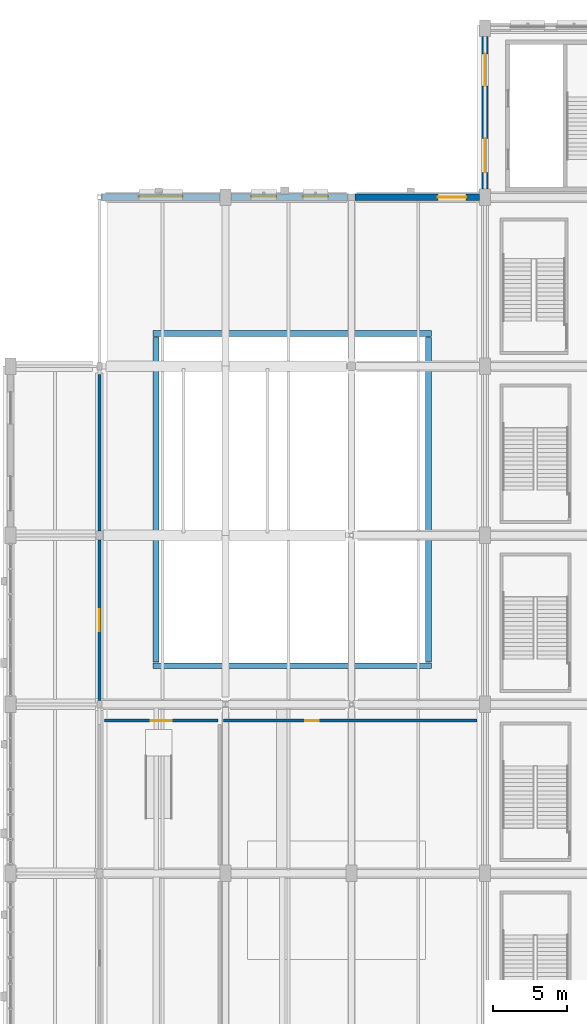
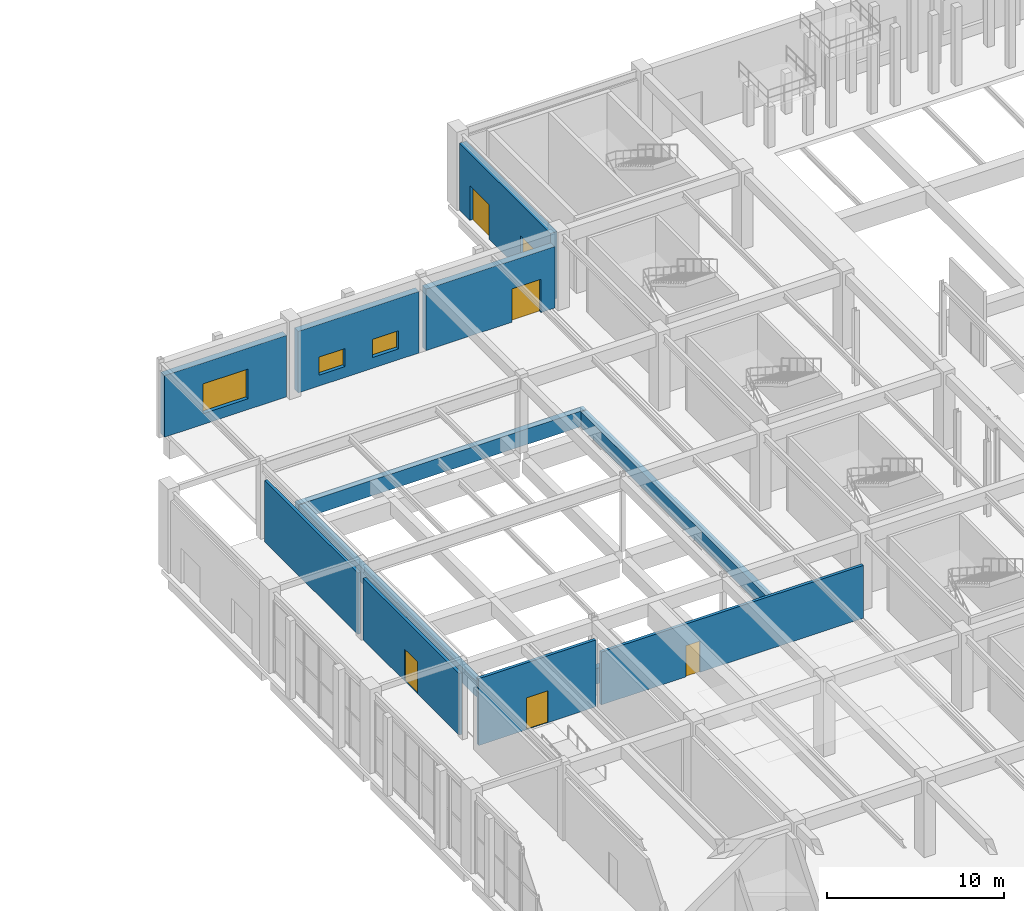
# One storey, part 90 of 113: 12 walls, 6 doors, 3 windows, 9 openings.
"""IFC4 building model written with IfcOpenShell, lengths in metres."""

from ifc_helpers import new_model, si_unit, direction, frame, frame_2d, origin, place, context, subcontext, project, spatial, rectangle, extrude, material, layer, layer_set, type_object, element, fill, save


model = new_model("IFC4")

# Units and contexts
model_context = context("Model", 3, precision=1e-05, world=origin(), true_north=direction((0.0, 1.0)))
body_context = subcontext(model_context, "Body", "Model", "MODEL_VIEW")
ifc_project = project(units=[si_unit("LENGTHUNIT", "METRE"), si_unit("AREAUNIT", "SQUARE_METRE"), si_unit("VOLUMEUNIT", "CUBIC_METRE"), si_unit("PLANEANGLEUNIT", "RADIAN"), si_unit("MASSUNIT", "GRAM", prefix="KILO"), si_unit("POWERUNIT", "WATT"), si_unit("THERMODYNAMICTEMPERATUREUNIT", "KELVIN")], contexts=[model_context])

# Site, building, storey
site_placement = place(None, origin())
site = spatial("IfcSite", under=ifc_project, at=site_placement, CompositionType="ELEMENT")
building_placement = place(site_placement, origin())
building = spatial("IfcBuilding", under=site, at=building_placement, Name="Kelmbourne Parkland Aquatics Centre", CompositionType="ELEMENT")
storey_placement = place(building_placement, origin())
storey = spatial("IfcBuildingStorey", under=building, at=storey_placement, Name="L00", CompositionType="ELEMENT", Elevation=0.0)

# Wall, opening, window
ifc_material_1 = material(Name="Dark manganite base-course brickwork", Category="masonry")
ifc_layer_1 = layer(ifc_material_1, 0.429931640625)
ifc_layer_set_1 = layer_set([ifc_layer_1], Name="Dark manganite base-course brickwork")
wall_type_1 = type_object("IfcWallType", Name="W-EXT-430", PredefinedType="STANDARD", material=ifc_layer_set_1)
wall_1_placement = place(storey_placement, frame((102.152099609375, 103.39990234375, 0.0), z_axis=(0.0, 0.0, 1.0), x_axis=(1.0, 0.0, 0.0)))
wall_1 = element("IfcWall", 1, at=wall_1_placement, inside=storey, type_object=wall_type_1, Name="Exterior polychrome brick wall EW-L00-037", PredefinedType="STANDARD", context=body_context, shape_type="SweptSolid", body=[
    extrude(rectangle(XDim=7.970947265625, YDim=0.429931640625, at=frame_2d((3.9853515625, 0.0))), origin(), (0.0, 0.0, 1.0), 4.2451171875),
])
opening_1_placement = place(wall_1_placement, frame((2.510498046875, 0.0, 0.75)))
opening_1 = element("IfcOpeningElement", 2, at=opening_1_placement, cuts=wall_1, Name="Opening W12", PredefinedType="OPENING", context=body_context, shape_type="SweptSolid", body=[
    extrude(rectangle(XDim=2.949951171875, YDim=2.050048828125, at=frame_2d((1.47509765625, 1.02490234375))), frame((0.0, 0.22705078125, 0.0), z_axis=(0.0, -1.0, 0.0), x_axis=(1.0, 0.0, 0.0)), (0.0, 0.0, 1.0), 0.453857421875),
])
ifc_material_2 = material(Name="Thermally broken anodised aluminium window with low-e glass", Category="aluminium")
ifc_layer_2 = layer(ifc_material_2, 0.090087890625)
ifc_layer_set_2 = layer_set([ifc_layer_2], Name="Thermally broken anodised aluminium window with low-e glass")
window_type_1 = type_object("IfcWindowType", Name="WN-12", PartitioningType="TRIPLE_PANEL_VERTICAL", PredefinedType="WINDOW", material=ifc_layer_set_2)
window_1_placement = place(opening_1_placement, origin())
window_1 = element("IfcWindow", 3, at=window_1_placement, inside=storey, type_object=window_type_1, Name="Deep-reveal masonry window W12", OverallHeight=2.050048828125, OverallWidth=2.949951171875, PartitioningType="TRIPLE_PANEL_VERTICAL", PredefinedType="WINDOW", context=body_context, shape_type="SweptSolid", body=[
    extrude(rectangle(XDim=2.949951171875, YDim=2.050048828125, at=frame_2d((1.47509765625, 1.02490234375))), frame((0.0, 0.080078125, 0.0), z_axis=(0.0, -1.0, 0.0), x_axis=(1.0, 0.0, 0.0)), (0.0, 0.0, 1.0), 0.06005859375),
])
fill(opening_1, window_1)

# Wall, openings, windows
wall_2_placement = place(storey_placement, frame((110.876953125, 103.39990234375, 0.0), z_axis=(0.0, 0.0, 1.0), x_axis=(1.0, 0.0, 0.0)))
wall_2 = element("IfcWall", 4, at=wall_2_placement, inside=storey, type_object=wall_type_1, Name="Exterior polychrome brick wall EW-L00-038", PredefinedType="STANDARD", context=body_context, shape_type="SweptSolid", body=[
    extrude(rectangle(XDim=7.89599609375, YDim=0.429931640625, at=frame_2d((3.947998046875, 0.0))), origin(), (0.0, 0.0, 1.0), 4.2451171875),
])
opening_2_placement = place(wall_2_placement, frame((1.35009765625, 0.0, 0.75)))
opening_2 = element("IfcOpeningElement", 5, at=opening_2_placement, cuts=wall_2, Name="Opening W14", PredefinedType="OPENING", context=body_context, shape_type="SweptSolid", body=[
    extrude(rectangle(XDim=1.699951171875, YDim=1.25, at=frame_2d((0.85009765625, 0.625))), frame((0.0, 0.22705078125, 0.0), z_axis=(0.0, -1.0, 0.0), x_axis=(1.0, 0.0, 0.0)), (0.0, 0.0, 1.0), 0.453857421875),
])
opening_3_placement = place(wall_2_placement, frame((4.845947265625, 0.0, 0.75)))
opening_3 = element("IfcOpeningElement", 6, at=opening_3_placement, cuts=wall_2, Name="Opening W14", PredefinedType="OPENING", context=body_context, shape_type="SweptSolid", body=[
    extrude(rectangle(XDim=1.699951171875, YDim=1.25, at=frame_2d((0.85009765625, 0.625))), frame((0.0, 0.22705078125, 0.0), z_axis=(0.0, -1.0, 0.0), x_axis=(1.0, 0.0, 0.0)), (0.0, 0.0, 1.0), 0.453857421875),
])
ifc_layer_3 = layer(ifc_material_2, 0.090087890625)
ifc_layer_set_3 = layer_set([ifc_layer_3], Name="Thermally broken anodised aluminium window with low-e glass")
window_type_2 = type_object("IfcWindowType", Name="WN-14", PartitioningType="DOUBLE_PANEL_HORIZONTAL", PredefinedType="WINDOW", material=ifc_layer_set_3)
window_2_placement = place(opening_2_placement, origin())
window_2 = element("IfcWindow", 7, at=window_2_placement, inside=storey, type_object=window_type_2, Name="Deep-reveal masonry window W14", OverallHeight=1.25, OverallWidth=1.699951171875, PartitioningType="DOUBLE_PANEL_HORIZONTAL", PredefinedType="WINDOW", context=body_context, shape_type="SweptSolid", body=[
    extrude(rectangle(XDim=1.699951171875, YDim=1.25, at=frame_2d((0.85009765625, 0.625))), frame((0.0, 0.080078125, 0.0), z_axis=(0.0, -1.0, 0.0), x_axis=(1.0, 0.0, 0.0)), (0.0, 0.0, 1.0), 0.06005859375),
])
fill(opening_2, window_2)
window_3_placement = place(opening_3_placement, origin())
window_3 = element("IfcWindow", 8, at=window_3_placement, inside=storey, type_object=window_type_2, Name="Deep-reveal masonry window W14", OverallHeight=1.25, OverallWidth=1.699951171875, PartitioningType="DOUBLE_PANEL_HORIZONTAL", PredefinedType="WINDOW", context=body_context, shape_type="SweptSolid", body=[
    extrude(rectangle(XDim=1.699951171875, YDim=1.25, at=frame_2d((0.85009765625, 0.625))), frame((0.0, 0.080078125, 0.0), z_axis=(0.0, -1.0, 0.0), x_axis=(1.0, 0.0, 0.0)), (0.0, 0.0, 1.0), 0.06005859375),
])
fill(opening_3, window_3)

# Wall, opening, door
wall_3_placement = place(storey_placement, frame((119.22705078125, 103.39990234375, 0.0), z_axis=(0.0, 0.0, 1.0), x_axis=(1.0, 0.0, 0.0)))
wall_3 = element("IfcWall", 9, at=wall_3_placement, inside=storey, type_object=wall_type_1, Name="Exterior polychrome brick wall EW-L00-039", PredefinedType="STANDARD", context=body_context, shape_type="SweptSolid", body=[
    extrude(rectangle(XDim=8.39599609375, YDim=0.429931640625, at=frame_2d((4.197998046875, 0.0))), origin(), (0.0, 0.0, 1.0), 4.2451171875),
])
opening_4_placement = place(wall_3_placement, frame((5.598876953125, 0.0, 0.0)))
opening_4 = element("IfcOpeningElement", 10, at=opening_4_placement, cuts=wall_3, Name="Opening E16", PredefinedType="OPENING", context=body_context, shape_type="SweptSolid", body=[
    extrude(rectangle(XDim=1.89990234375, YDim=2.300048828125, at=frame_2d((0.949951171875, 1.14990234375))), frame((0.0, 0.22705078125, 0.0), z_axis=(0.0, -1.0, 0.0), x_axis=(1.0, 0.0, 0.0)), (0.0, 0.0, 1.0), 0.453857421875),
])
ifc_material_3 = material(Name="Thermally broken anodised aluminium commercial door", Category="aluminium")
ifc_layer_4 = layer(ifc_material_3, 0.06005859375)
ifc_layer_set_4 = layer_set([ifc_layer_4], Name="Thermally broken anodised aluminium commercial door")
door_type_1 = type_object("IfcDoorType", Name="DR-EXT-190", OperationType="NOTDEFINED", PredefinedType="DOOR", material=ifc_layer_set_4)
door_1_placement = place(opening_4_placement, origin())
door_1 = element("IfcDoor", 11, at=door_1_placement, inside=storey, type_object=door_type_1, Name="Final exit double door E16", OperationType="DOUBLE_DOOR_SINGLE_SWING", OverallHeight=2.300048828125, OverallWidth=1.89990234375, PredefinedType="DOOR", context=body_context, shape_type="SweptSolid", body=[
    extrude(rectangle(XDim=1.89990234375, YDim=2.300048828125, at=frame_2d((0.949951171875, 1.14990234375))), frame((0.0, 0.02490234375, 0.0), z_axis=(0.0, -1.0, 0.0), x_axis=(1.0, 0.0, 0.0)), (0.0, 0.0, 1.0), 0.050048828125),
])
fill(opening_4, door_1)

# Wall, openings, doors
wall_4_placement = place(storey_placement, frame((128.0, 103.951904296875, 0.0), z_axis=(0.0, 0.0, 1.0), x_axis=(0.0, 1.0, 0.0)))
wall_4 = element("IfcWall", 12, at=wall_4_placement, inside=storey, type_object=wall_type_1, Name="Exterior polychrome brick wall EW-L00-051", PredefinedType="STANDARD", context=body_context, shape_type="SweptSolid", body=[
    extrude(rectangle(XDim=10.296142578125, YDim=0.429931640625, at=frame_2d((5.14794921875, 0.0))), origin(), (0.0, 0.0, 1.0), 4.612060546875),
])
opening_5_placement = place(wall_4_placement, frame((1.114990234375, 0.0, 0.0)))
opening_5 = element("IfcOpeningElement", 13, at=opening_5_placement, cuts=wall_4, Name="Opening E41", PredefinedType="OPENING", context=body_context, shape_type="SweptSolid", body=[
    extrude(rectangle(XDim=2.300048828125, YDim=2.39990234375, at=frame_2d((1.14990234375, 1.199951171875))), frame((0.0, 0.22705078125, 0.0), z_axis=(0.0, -1.0, 0.0), x_axis=(1.0, 0.0, 0.0)), (0.0, 0.0, 1.0), 0.453857421875),
])
opening_6_placement = place(wall_4_placement, frame((6.955810546875, 0.0, 0.0)))
opening_6 = element("IfcOpeningElement", 14, at=opening_6_placement, cuts=wall_4, Name="Opening E42", PredefinedType="OPENING", context=body_context, shape_type="SweptSolid", body=[
    extrude(rectangle(XDim=2.14990234375, YDim=2.39990234375, at=frame_2d((1.074951171875, 1.199951171875))), frame((0.0, 0.22705078125, 0.0), z_axis=(0.0, -1.0, 0.0), x_axis=(1.0, 0.0, 0.0)), (0.0, 0.0, 1.0), 0.453857421875),
])
ifc_layer_5 = layer(ifc_material_3, 0.06005859375)
ifc_layer_set_5 = layer_set([ifc_layer_5], Name="Thermally broken anodised aluminium commercial door")
door_type_2 = type_object("IfcDoorType", Name="DR-EXT-215", OperationType="NOTDEFINED", PredefinedType="DOOR", material=ifc_layer_set_5)
door_2_placement = place(opening_6_placement, origin())
door_2 = element("IfcDoor", 15, at=door_2_placement, inside=storey, type_object=door_type_2, Name="Final exit double door E42", OperationType="DOUBLE_DOOR_SINGLE_SWING", OverallHeight=2.39990234375, OverallWidth=2.14990234375, PredefinedType="DOOR", context=body_context, shape_type="SweptSolid", body=[
    extrude(rectangle(XDim=2.14990234375, YDim=2.39990234375, at=frame_2d((1.074951171875, 1.199951171875))), frame((0.0, 0.02490234375, 0.0), z_axis=(0.0, -1.0, 0.0), x_axis=(1.0, 0.0, 0.0)), (0.0, 0.0, 1.0), 0.050048828125),
])
fill(opening_6, door_2)
ifc_layer_6 = layer(ifc_material_3, 0.06005859375)
ifc_layer_set_6 = layer_set([ifc_layer_6], Name="Thermally broken anodised aluminium commercial door")
door_type_3 = type_object("IfcDoorType", Name="DR-EXT-230", OperationType="NOTDEFINED", PredefinedType="DOOR", material=ifc_layer_set_6)
door_3_placement = place(opening_5_placement, origin())
door_3 = element("IfcDoor", 16, at=door_3_placement, inside=storey, type_object=door_type_3, Name="Final exit double door E41", OperationType="DOUBLE_DOOR_SINGLE_SWING", OverallHeight=2.39990234375, OverallWidth=2.300048828125, PredefinedType="DOOR", context=body_context, shape_type="SweptSolid", body=[
    extrude(rectangle(XDim=2.300048828125, YDim=2.39990234375, at=frame_2d((1.14990234375, 1.199951171875))), frame((0.0, 0.02490234375, 0.0), z_axis=(0.0, -1.0, 0.0), x_axis=(1.0, 0.0, 0.0)), (0.0, 0.0, 1.0), 0.050048828125),
])
fill(opening_5, door_3)

# Wall, opening, door
ifc_material_4 = material(Name="Concrete blockwork C32/40", Category="masonry")
ifc_layer_7 = layer(ifc_material_4, 0.18994140625)
ifc_layer_set_7 = layer_set([ifc_layer_7], Name="Concrete blockwork C32/40")
wall_type_2 = type_object("IfcWallType", Name="W-SOLID-190", PredefinedType="SOLIDWALL", material=ifc_layer_set_7)
wall_5_placement = place(storey_placement, frame((102.0, 69.451904296875, 0.0), z_axis=(0.0, 0.0, 1.0), x_axis=(0.0, 1.0, 0.0)))
wall_5 = element("IfcWall", 17, at=wall_5_placement, inside=storey, type_object=wall_type_2, Name="Interior partition PT-L00-043", PredefinedType="SOLIDWALL", context=body_context, shape_type="SweptSolid", body=[
    extrude(rectangle(XDim=10.84619140625, YDim=0.18994140625, at=frame_2d((5.423095703125, 0.0))), origin(), (0.0, 0.0, 1.0), 4.2451171875),
])
opening_7_placement = place(wall_5_placement, frame((4.673095703125, 0.0, 0.0)))
opening_7 = element("IfcOpeningElement", 18, at=opening_7_placement, cuts=wall_5, Name="Opening ID02", PredefinedType="OPENING", context=body_context, shape_type="SweptSolid", body=[
    extrude(rectangle(XDim=1.5, YDim=2.199951171875, at=frame_2d((0.75, 1.10009765625))), frame((0.0, 0.10693359375, 0.0), z_axis=(0.0, -1.0, 0.0), x_axis=(1.0, 0.0, 0.0)), (0.0, 0.0, 1.0), 0.2138671875),
])
ifc_material_5 = material(Name="Marine-grade stainless steel and solid-core hardwood doorset", Category="timber")
ifc_layer_8 = layer(ifc_material_5, 0.050048828125)
ifc_layer_set_8 = layer_set([ifc_layer_8], Name="Marine-grade stainless steel and solid-core hardwood doorset")
door_type_4 = type_object("IfcDoorType", Name="DR-INT-150", OperationType="NOTDEFINED", PredefinedType="DOOR", material=ifc_layer_set_8)
door_4_placement = place(opening_7_placement, origin())
door_4 = element("IfcDoor", 19, at=door_4_placement, inside=storey, type_object=door_type_4, Name="Interior door ID02 (L00-025)", OperationType="DOUBLE_DOOR_SINGLE_SWING", OverallHeight=2.199951171875, OverallWidth=1.5, PredefinedType="DOOR", context=body_context, shape_type="SweptSolid", body=[
    extrude(rectangle(XDim=1.5, YDim=2.199951171875, at=frame_2d((0.75, 1.10009765625))), frame((0.0, 0.02490234375, 0.0), z_axis=(0.0, -1.0, 0.0), x_axis=(1.0, 0.0, 0.0)), (0.0, 0.0, 1.0), 0.050048828125),
])
fill(opening_7, door_4)

# Wall
wall_6_placement = place(storey_placement, frame((102.0, 80.902099609375, 0.0), z_axis=(0.0, 0.0, 1.0), x_axis=(0.0, 1.0, 0.0)))
element("IfcWall", 20, at=wall_6_placement, inside=storey, type_object=wall_type_2, Name="Interior partition PT-L00-044", PredefinedType="SOLIDWALL", context=body_context, shape_type="SweptSolid", body=[
    extrude(rectangle(XDim=10.5478515625, YDim=0.18994140625, at=frame_2d((5.27392578125, 0.0))), origin(), (0.0, 0.0, 1.0), 4.235107421875),
])

# Wall, opening, door
wall_7_placement = place(storey_placement, frame((110.35009765625, 68.10009765625, 0.0), z_axis=(0.0, 0.0, 1.0), x_axis=(1.0, 0.0, 0.0)))
wall_7 = element("IfcWall", 21, at=wall_7_placement, inside=storey, type_object=wall_type_2, Name="Interior partition PT-L00-056", PredefinedType="SOLIDWALL", context=body_context, shape_type="SweptSolid", body=[
    extrude(rectangle(XDim=17.099853515625, YDim=0.18994140625, at=frame_2d((8.5498046875, 0.0))), origin(), (0.0, 0.0, 1.0), 3.64501953125),
])
opening_8_placement = place(wall_7_placement, frame((5.52490234375, 0.0, 0.0)))
opening_8 = element("IfcOpeningElement", 22, at=opening_8_placement, cuts=wall_7, Name="Opening ID07", PredefinedType="OPENING", context=body_context, shape_type="SweptSolid", body=[
    extrude(rectangle(XDim=0.919921875, YDim=2.14990234375, at=frame_2d((0.4599609375, 1.074951171875))), frame((0.0, 0.10693359375, 0.0), z_axis=(0.0, -1.0, 0.0), x_axis=(1.0, 0.0, 0.0)), (0.0, 0.0, 1.0), 0.2138671875),
])
ifc_layer_9 = layer(ifc_material_5, 0.050048828125)
ifc_layer_set_9 = layer_set([ifc_layer_9], Name="Marine-grade stainless steel and solid-core hardwood doorset")
door_type_5 = type_object("IfcDoorType", Name="DR-WC-092", OperationType="NOTDEFINED", PredefinedType="DOOR", material=ifc_layer_set_9)
door_5_placement = place(opening_8_placement, origin())
door_5 = element("IfcDoor", 23, at=door_5_placement, inside=storey, type_object=door_type_5, Name="Interior door ID07 (L00-031)", OperationType="SINGLE_SWING_LEFT", OverallHeight=2.14990234375, OverallWidth=0.919921875, PredefinedType="DOOR", context=body_context, shape_type="SweptSolid", body=[
    extrude(rectangle(XDim=0.919921875, YDim=2.14990234375, at=frame_2d((0.4599609375, 1.074951171875))), frame((0.0, 0.02490234375, 0.0), z_axis=(0.0, -1.0, 0.0), x_axis=(1.0, 0.0, 0.0)), (0.0, 0.0, 1.0), 0.050048828125),
])
fill(opening_8, door_5)

wall_8_placement = place(storey_placement, frame((102.35009765625, 68.10009765625, 0.0), z_axis=(0.0, 0.0, 1.0), x_axis=(1.0, 0.0, 0.0)))
wall_8 = element("IfcWall", 24, at=wall_8_placement, inside=storey, type_object=wall_type_2, Name="Interior partition PT-L00-057", PredefinedType="SOLIDWALL", context=body_context, shape_type="SweptSolid", body=[
    extrude(rectangle(XDim=7.639892578125, YDim=0.18994140625, at=frame_2d((3.81982421875, 0.0))), origin(), (0.0, 0.0, 1.0), 4.612060546875),
])
opening_9_placement = place(wall_8_placement, frame((3.1201171875, 0.0, 0.0)))
opening_9 = element("IfcOpeningElement", 25, at=opening_9_placement, cuts=wall_8, Name="Opening PD01", PredefinedType="OPENING", context=body_context, shape_type="SweptSolid", body=[
    extrude(rectangle(XDim=1.39990234375, YDim=2.199951171875, at=frame_2d((0.699951171875, 1.10009765625))), frame((0.0, 0.10693359375, 0.0), z_axis=(0.0, -1.0, 0.0), x_axis=(1.0, 0.0, 0.0)), (0.0, 0.0, 1.0), 0.2138671875),
])
ifc_material_6 = material(Name="Marine-grade stainless steel and fire-rated hardwood doorset", Category="steel")
ifc_layer_10 = layer(ifc_material_6, 0.050048828125)
ifc_layer_set_10 = layer_set([ifc_layer_10], Name="Marine-grade stainless steel and fire-rated hardwood doorset")
door_type_6 = type_object("IfcDoorType", Name="DR-PLT-140", OperationType="NOTDEFINED", PredefinedType="DOOR", material=ifc_layer_set_10)
door_6_placement = place(opening_9_placement, origin())
door_6 = element("IfcDoor", 26, at=door_6_placement, inside=storey, type_object=door_type_6, Name="Interior door PD01 (L00-032)", OperationType="DOUBLE_DOOR_SINGLE_SWING", OverallHeight=2.199951171875, OverallWidth=1.39990234375, PredefinedType="DOOR", context=body_context, shape_type="SweptSolid", body=[
    extrude(rectangle(XDim=1.39990234375, YDim=2.199951171875, at=frame_2d((0.699951171875, 1.10009765625))), frame((0.0, 0.02490234375, 0.0), z_axis=(0.0, -1.0, 0.0), x_axis=(1.0, 0.0, 0.0)), (0.0, 0.0, 1.0), 0.050048828125),
])
fill(opening_9, door_6)

# Walls
ifc_material_7 = material(Name="Waterproof concrete C50/60", Category="concrete")
ifc_layer_11 = layer(ifc_material_7, 0.39990234375)
ifc_layer_set_11 = layer_set([ifc_layer_11], Name="Waterproof concrete C50/60")
wall_type_3 = type_object("IfcWallType", Name="W-TANK-400", PredefinedType="SHEAR", material=ifc_layer_set_11)
for number, where, z_axis, x_axis, name in (
    (27, (105.60009765625, 71.800048828125, -1.35009765625), (0.0, 0.0, 1.0), (1.0, 0.0, 0.0), "Family Leisure and Learn-to-Swim Pool Tank tank wall S"),
    (28, (105.60009765625, 94.199951171875, -1.35009765625), (0.0, 0.0, 1.0), (1.0, 0.0, 0.0), "Family Leisure and Learn-to-Swim Pool Tank tank wall N"),
):
    element("IfcWall", number, at=place(storey_placement, frame(where, z_axis=z_axis, x_axis=x_axis)), inside=storey, type_object=wall_type_3, Name=name, PredefinedType="SHEAR", context=body_context, shape_type="SweptSolid", body=[
        extrude(rectangle(XDim=18.7998046875, YDim=0.39990234375, at=frame_2d((9.39990234375, 0.0))), origin(), (0.0, 0.0, 1.0), 1.070068359375),
    ])
for number, where, z_axis, x_axis, name in (
    (29, (105.800048828125, 72.050048828125, -1.35009765625), (0.0, 0.0, 1.0), (0.0, 1.0, 0.0), "Family Leisure and Learn-to-Swim Pool Tank tank wall W"),
    (30, (124.199951171875, 72.050048828125, -1.35009765625), (0.0, 0.0, 1.0), (0.0, 1.0, 0.0), "Family Leisure and Learn-to-Swim Pool Tank tank wall E"),
):
    element("IfcWall", number, at=place(storey_placement, frame(where, z_axis=z_axis, x_axis=x_axis)), inside=storey, type_object=wall_type_3, Name=name, PredefinedType="SHEAR", context=body_context, shape_type="SweptSolid", body=[
        extrude(rectangle(XDim=21.89990234375, YDim=0.39990234375, at=frame_2d((10.949951171875, 0.0))), origin(), (0.0, 0.0, 1.0), 1.070068359375),
    ])

save(model, "model.ifc")
